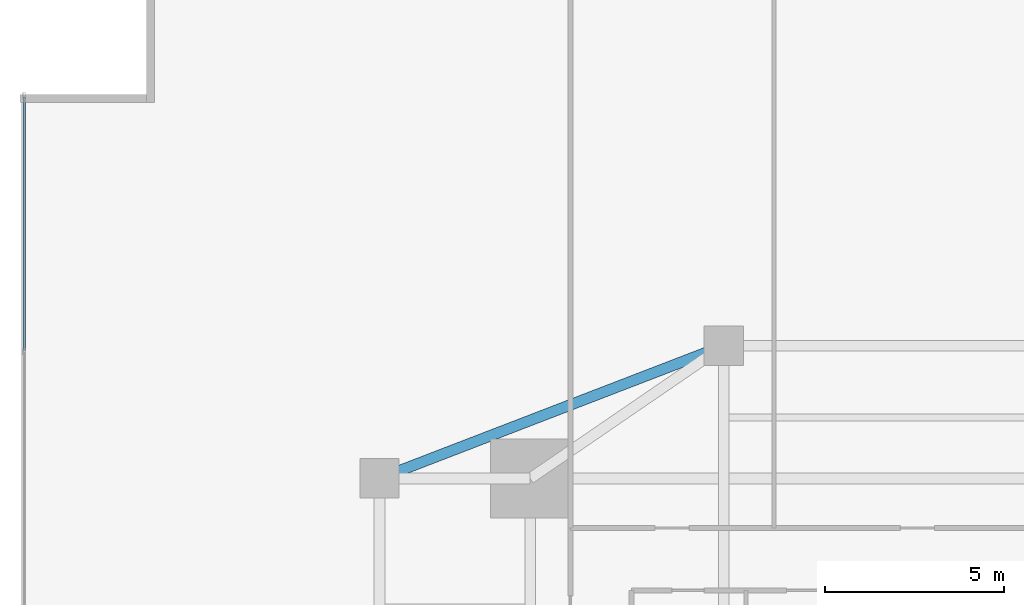
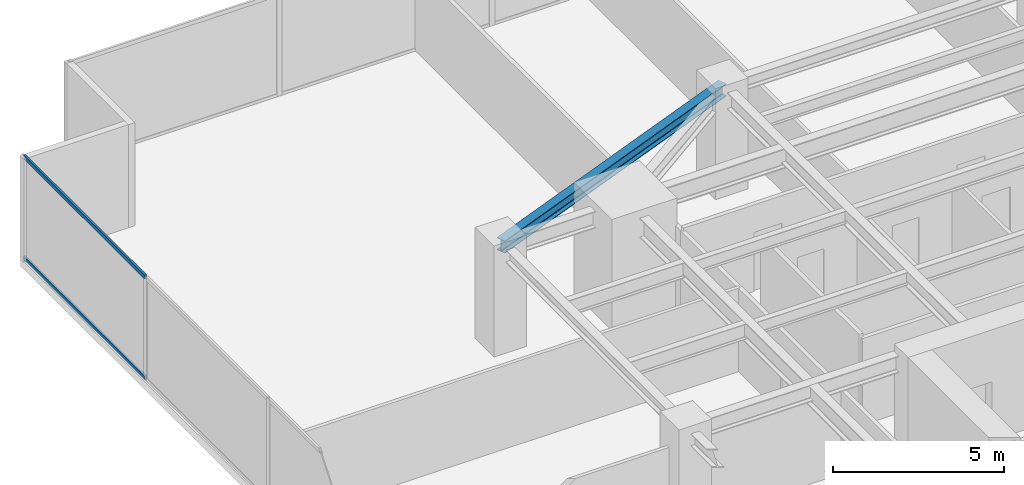
# One storey, part 16 of 28: 2 members, 1 beam, 1 element without a shape of its own.
"""IFC4 building model written with IfcOpenShell, lengths in metres."""

from ifc_helpers import new_model, si_unit, direction, frame, origin, origin_2d, place, context, subcontext, project, spatial, hollow_rectangle, i_section, extrude, source, transform, mapped, material, material_profile, profile_set, type_object, type_shapes, element, aggregate, save


model = new_model("IFC4")

# Units and contexts
model_context = context("Model", 3, precision=1e-05, world=origin(), true_north=direction((0.0, 1.0)))
body_context = subcontext(model_context, "Body", "Model", "MODEL_VIEW")
ifc_project = project(units=[si_unit("LENGTHUNIT", "METRE"), si_unit("AREAUNIT", "SQUARE_METRE"), si_unit("VOLUMEUNIT", "CUBIC_METRE"), si_unit("PLANEANGLEUNIT", "RADIAN"), si_unit("MASSUNIT", "GRAM", prefix="KILO")], contexts=[model_context])

# Site, building, storey
site_placement = place(None, origin())
site = spatial("IfcSite", under=ifc_project, at=site_placement, CompositionType="ELEMENT")
building_placement = place(site_placement, origin())
building = spatial("IfcBuilding", under=site, at=building_placement, Name="Krantzveldt Concourse Tower", CompositionType="ELEMENT")
storey_placement = place(building_placement, frame((0.0, 0.0, 28.949951171875)))
storey = spatial("IfcBuildingStorey", under=building, at=storey_placement, Name="L06", CompositionType="ELEMENT", Elevation=28.949951171875)

# Beam
ifc_material_1 = material(Name="Steel S355JR", Category="steel")
ifc_material_profile_1 = material_profile(ifc_material_1, i_section(OverallWidth=0.300048828125, OverallDepth=0.43994140625, WebThickness=0.011474609375, FlangeThickness=0.02099609375, FilletRadius=0.027099609375, at=origin_2d()), Name="Steel S355JR", Category="steel")
ifc_profile_set_1 = profile_set([ifc_material_profile_1], Name="Steel S355JR - HEA 450")
beam_type = type_object("IfcBeamType", Name="BM-SP-HEA450", PredefinedType="SPANDREL", material=ifc_profile_set_1)
shared_shape_1 = source(origin(), body_context, "Body", "SweptSolid", [
    extrude(i_section(OverallWidth=0.300048828125, OverallDepth=0.43994140625, WebThickness=0.011474609375, FlangeThickness=0.02099609375, FilletRadius=0.027099609375, at=origin_2d()), origin(), (0.0, 0.0, 1.0), 10.288330078125),
])
type_shapes(beam_type, [shared_shape_1])
beam_placement = place(storey_placement, frame((21.0, 37.5, 3.449951171875), z_axis=(0.933097690408, 0.359622997257, 0.0), x_axis=(-0.359622997257, 0.933097690408, 0.0)))
element("IfcBeam", 1, at=beam_placement, inside=storey, type_object=beam_type, Name="L06 Tower Girder SP-R03", PredefinedType="SPANDREL", context=body_context, shape_type="MappedRepresentation", body=[
    mapped(shared_shape_1, transform((0.0, 0.0, 0.0), x_axis=(1.0, 0.0, 0.0), y_axis=(0.0, 1.0, 0.0), z_axis=(0.0, 0.0, 1.0), scale=1.0)),
])

# Curtain wall, members
ifc_material_2 = material(Name="Anodised aluminium 6063-T6", Category="aluminium")
curtain_wall_type = type_object("IfcCurtainWallType", Name="CW2", PredefinedType="USERDEFINED", material=ifc_material_2)
curtain_wall_placement = place(storey_placement, origin())
curtain_wall = element("IfcCurtainWall", 2, at=curtain_wall_placement, inside=storey, type_object=curtain_wall_type, Name="CW-L06-F01", ObjectType="UNITISED CURTAIN WALL", PredefinedType="USERDEFINED")
ifc_material_profile_2 = material_profile(ifc_material_2, hollow_rectangle(XDim=0.070068359375, YDim=0.139892578125, WallThickness=0.0048828125, at=origin_2d()), Name="Anodised aluminium 6063-T6", Category="aluminium")
ifc_profile_set_2 = profile_set([ifc_material_profile_2], Name="Anodised aluminium 6063-T6 - ALU-TRAN 140x70x5")
member_type = type_object("IfcMemberType", Name="CW-TRN-150", PredefinedType="USERDEFINED", material=ifc_profile_set_2)
shared_shape_2 = source(origin(), body_context, "Body", "SweptSolid", [
    extrude(hollow_rectangle(XDim=0.070068359375, YDim=0.139892578125, WallThickness=0.0048828125, at=origin_2d()), origin(), (0.0, 0.0, 1.0), 7.0615234375),
])
type_shapes(member_type, [shared_shape_2])
member_1_placement = place(storey_placement, frame((11.090087890625, 48.1298828125, 0.03515625), z_axis=(0.0, -1.0, 0.0), x_axis=(1.0, 0.0, 0.0)))
member_1 = element("IfcMember", 3, at=member_1_placement, type_object=member_type, Name="CW-Z12 transom 1.1", ObjectType="TRANSOM", PredefinedType="USERDEFINED", context=body_context, shape_type="MappedRepresentation", body=[
    mapped(shared_shape_2, transform((0.0, 0.0, 0.0), x_axis=(1.0, 0.0, 0.0), y_axis=(0.0, 1.0, 0.0), z_axis=(0.0, 0.0, 1.0), scale=1.0)),
])
member_2_placement = place(storey_placement, frame((11.090087890625, 48.1298828125, 3.635009765625), z_axis=(0.0, -1.0, 0.0), x_axis=(1.0, 0.0, 0.0)))
member_2 = element("IfcMember", 4, at=member_2_placement, type_object=member_type, Name="CW-Z12 transom 1.2", ObjectType="TRANSOM", PredefinedType="USERDEFINED", context=body_context, shape_type="MappedRepresentation", body=[
    mapped(shared_shape_2, transform((0.0, 0.0, 0.0), x_axis=(1.0, 0.0, 0.0), y_axis=(0.0, 1.0, 0.0), z_axis=(0.0, 0.0, 1.0), scale=1.0)),
])
aggregate(curtain_wall, [member_1, member_2])

save(model, "model.ifc")
